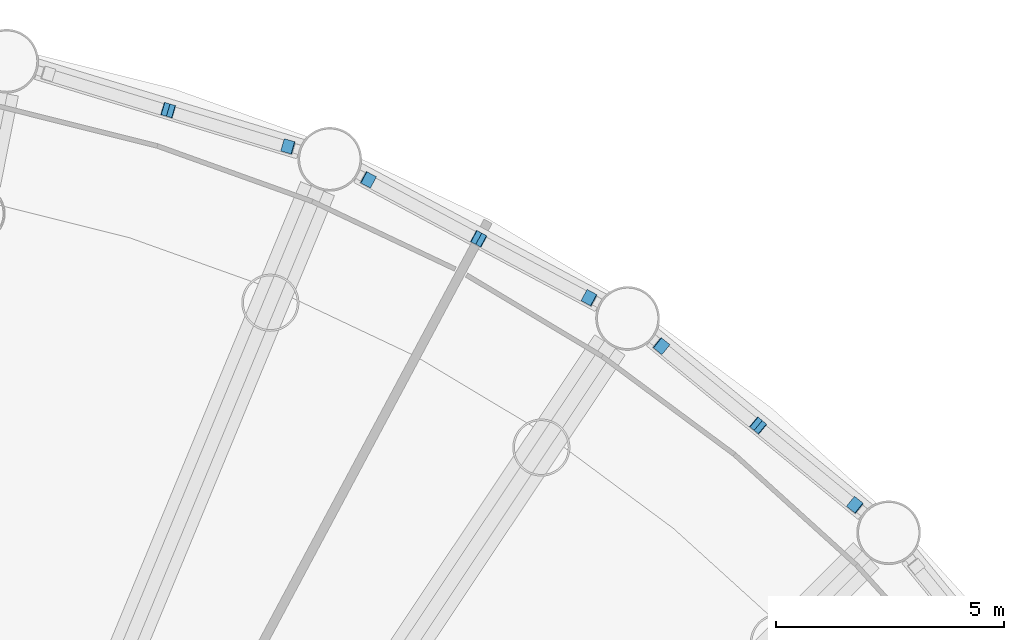
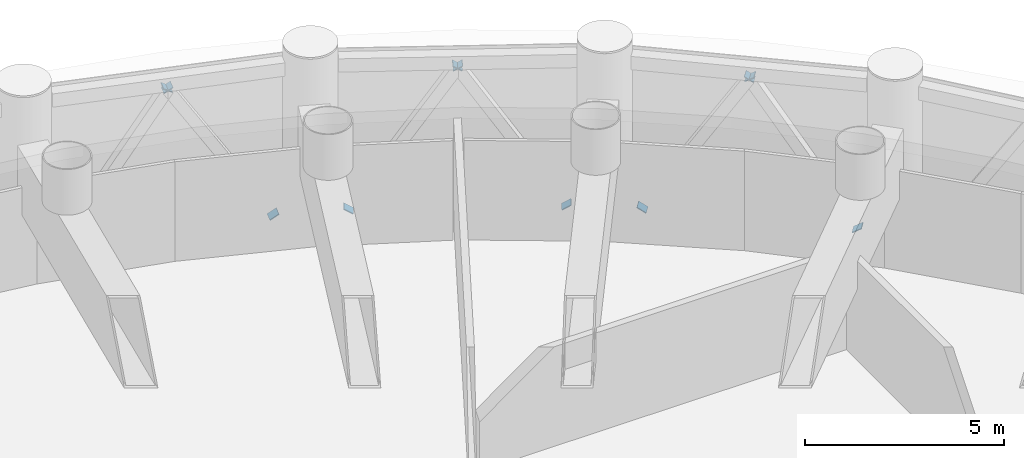
# One storey, part 18 of 26: 11 discrete accessories.
"""IFC4 building model written with IfcOpenShell, lengths in metres."""

import ifcopenshell
import ifcopenshell.guid

model = None  # the IFC model being written
_history = None  # IfcOwnerHistory: only IFC2X3 demands one
_inside = {}  # id of a spatial element -> (the spatial element, [elements in it])
_under = {}  # id of a project, library or spatial element -> (it, [spatial elements below it])
_declared = {}  # id of a project -> (the project, [libraries it declares])
_typed = {}  # id of a type object -> (the type object, [elements of that type])
_made_of = {}  # id of a material, layer set ... -> (it, [elements and type objects made of it])


def new_model(schema):
    """Start an empty IFC model of exactly this schema.

    Asked for "IFC4X3", IfcOpenShell would pick the latest addendum, in which some entities
    have other attributes; the version numbers below select the first issue.
    IFC2X3 requires an IfcOwnerHistory on every rooted entity: one is made here for all.
    """
    global model, _history
    if schema == "IFC4X3":
        model = ifcopenshell.file(schema_version=(4, 3, 0, 0))
    else:
        model = ifcopenshell.file(schema=schema)
    _inside.clear()
    _under.clear()
    _declared.clear()
    _typed.clear()
    _made_of.clear()
    _history = None
    if model.schema == "IFC2X3":
        org = make("IfcOrganization", Name="unknown")
        user = make(
            "IfcPersonAndOrganization",
            ThePerson=make("IfcPerson", FamilyName="unknown"),
            TheOrganization=org,
        )
        app = make(
            "IfcApplication",
            ApplicationDeveloper=org,
            Version="unknown",
            ApplicationFullName="unknown",
            ApplicationIdentifier="unknown",
        )
        _history = make(
            "IfcOwnerHistory",
            OwningUser=user,
            OwningApplication=app,
            ChangeAction="ADDED",
            CreationDate=0,
        )
    return model


def make(cls, **values):
    """One entity of the class cls with the attributes given. An attribute that is None is left unset."""
    return model.create_entity(
        cls, **{name: value for name, value in values.items() if value is not None}
    )


def rooted(cls, **values):
    """An entity with a GlobalId (a new one), such as an element, a storey or a relation."""
    return make(cls, GlobalId=ifcopenshell.guid.new(), OwnerHistory=_history, **values)


def si_unit(unit_type, name, prefix=None):
    """IfcSIUnit, for example si_unit("LENGTHUNIT", "METRE", prefix="MILLI")."""
    return make("IfcSIUnit", UnitType=unit_type, Prefix=prefix, Name=name)


def assignment(units):
    """IfcUnitAssignment: the units of a project."""
    return None if units is None else make("IfcUnitAssignment", Units=units)


def point(xyz):
    """IfcCartesianPoint."""
    return None if xyz is None else make("IfcCartesianPoint", Coordinates=xyz)


def direction(xyz):
    """IfcDirection."""
    return None if xyz is None else make("IfcDirection", DirectionRatios=xyz)


def frame(location, z_axis=None, x_axis=None):
    """IfcAxis2Placement3D, a coordinate frame: its origin and axes. An axis left out is left unset."""
    return make(
        "IfcAxis2Placement3D",
        Location=point(location),
        Axis=direction(z_axis),
        RefDirection=direction(x_axis),
    )


def frame_2d(location, x_axis=None):
    """IfcAxis2Placement2D, a coordinate frame in the plane: its origin and x axis."""
    return make(
        "IfcAxis2Placement2D", Location=point(location), RefDirection=direction(x_axis)
    )


def origin():
    """The frame at (0, 0, 0) with its axes left unset."""
    return frame((0.0, 0.0, 0.0))


def origin_2d():
    """The frame at (0, 0) in the plane with its x axis left unset."""
    return frame_2d((0.0, 0.0))


def place(relative_to, where):
    """IfcLocalPlacement: puts the frame where relative to a parent placement (None: the world)."""
    return make(
        "IfcLocalPlacement", PlacementRelTo=relative_to, RelativePlacement=where
    )


def context(
    kind, dimensions, precision=None, world=None, true_north=None, identifier=None
):
    """IfcGeometricRepresentationContext, for example the 3D "Model" context."""
    return make(
        "IfcGeometricRepresentationContext",
        ContextIdentifier=identifier,
        ContextType=kind,
        CoordinateSpaceDimension=dimensions,
        Precision=precision,
        WorldCoordinateSystem=world,
        TrueNorth=true_north,
    )


def subcontext(parent, identifier, kind, view, scale=None):
    """IfcGeometricRepresentationSubContext, for example "Body" below "Model"."""
    return make(
        "IfcGeometricRepresentationSubContext",
        ContextIdentifier=identifier,
        ContextType=kind,
        ParentContext=parent,
        TargetScale=scale,
        TargetView=view,
    )


def project(units=None, contexts=None):
    """IfcProject with its units and contexts."""
    return rooted(
        "IfcProject",
        Name="project",
        RepresentationContexts=contexts,
        UnitsInContext=assignment(units),
    )


def spatial(cls, under=None, at=None, **own):
    """A site, building, storey or space (cls), placed at a placement, below another one or the project."""
    s = rooted(cls, ObjectPlacement=at, **own)
    if under is not None:
        _under.setdefault(under.id(), (under, []))[1].append(s)
    return s


def profile(cls, at=None, kind="AREA", **sizes):
    """A parametric profile (cls). Its sizes go by their IFC names, for example OverallWidth=200.0."""
    return make(cls, ProfileType=kind, Position=at, **sizes)


def rectangle(**sizes):
    """IfcRectangleProfileDef."""
    return profile("IfcRectangleProfileDef", **sizes)


def extrude(swept, where, along, depth):
    """IfcExtrudedAreaSolid: the profile swept, set in the frame where, extruded along a direction by depth."""
    return make(
        "IfcExtrudedAreaSolid",
        SweptArea=swept,
        Position=where,
        ExtrudedDirection=direction(along),
        Depth=depth,
    )


def shape(context_of_items, identifier, shape_type, items):
    """IfcShapeRepresentation: the items that make up one representation, for example the "Body"."""
    return make(
        "IfcShapeRepresentation",
        ContextOfItems=context_of_items,
        RepresentationIdentifier=identifier,
        RepresentationType=shape_type,
        Items=items,
    )


def material(Name=None, Category=None):
    """IfcMaterial."""
    return make("IfcMaterial", Name=Name, Category=Category)


def material_profile(
    of_material, cross_section, Name=None, Category=None, Priority=None
):
    """IfcMaterialProfile: a cross section and its material."""
    return make(
        "IfcMaterialProfile",
        Name=Name,
        Material=of_material,
        Profile=cross_section,
        Priority=Priority,
        Category=Category,
    )


def profile_set(profiles, Name=None, composite=None):
    """IfcMaterialProfileSet."""
    return make(
        "IfcMaterialProfileSet",
        Name=Name,
        MaterialProfiles=profiles,
        CompositeProfile=composite,
    )


def made_of(thing, what):
    """Note that an element or type object is made of a material, layer set ...; save() writes the relation."""
    if what is not None:
        _made_of.setdefault(what.id(), (what, []))[1].append(thing)
    return thing


def type_object(cls, material=None, **own):
    """A type object (cls), such as IfcWallType, which elements share."""
    return made_of(rooted(cls, **own), material)


def element(
    cls,
    number,
    at=None,
    inside=None,
    cuts=None,
    type_object=None,
    material=None,
    context=None,
    identifier="Body",
    shape_type=None,
    held_by="IfcProductDefinitionShape",
    body=None,
    shapes=None,
    **own,
):
    """One element of the class cls, such as IfcWall. Its Tag is "e" and its number.

    at: its placement. inside: the storey or other place that contains it. cuts: it is an
    opening in that element (IfcRelVoidsElement). A single representation is given by context,
    identifier, shape_type and body (its items); several are given by shapes. held_by: the class
    of the entity that holds the representations. save() writes the other relations.
    """
    e = rooted(cls, Tag="e%d" % number, ObjectPlacement=at, **own)
    if body is not None:
        shapes = [shape(context, identifier, shape_type, body)]
    if shapes is not None:
        e.Representation = make(held_by, Representations=shapes)
    if inside is not None:
        _inside.setdefault(inside.id(), (inside, []))[1].append(e)
    if cuts is not None:
        rooted(
            "IfcRelVoidsElement", RelatingBuildingElement=cuts, RelatedOpeningElement=e
        )
    if type_object is not None:
        _typed.setdefault(type_object.id(), (type_object, []))[1].append(e)
    return made_of(e, material)


def aggregate(whole, parts):
    """IfcRelAggregates: a whole, such as a stair, and the parts it consists of."""
    return rooted("IfcRelAggregates", RelatingObject=whole, RelatedObjects=parts)


def save(model, path):
    """Write the relations noted so far, then the file.

    IfcRelAggregates (storeys below a building ...), IfcRelContainedInSpatialStructure (elements
    in a storey), IfcRelDefinesByType, IfcRelAssociatesMaterial and IfcRelDeclares: one each for
    every whole, place, type object, material and project.
    """
    for whole, parts in _under.values():
        aggregate(whole, parts)
    for where, things in _inside.values():
        rooted(
            "IfcRelContainedInSpatialStructure",
            RelatedElements=things,
            RelatingStructure=where,
        )
    for kind, things in _typed.values():
        rooted("IfcRelDefinesByType", RelatedObjects=things, RelatingType=kind)
    for what, things in _made_of.values():
        rooted("IfcRelAssociatesMaterial", RelatedObjects=things, RelatingMaterial=what)
    for by, libraries in _declared.values():
        rooted("IfcRelDeclares", RelatingContext=by, RelatedDefinitions=libraries)
    model.write(path)


model = new_model("IFC4")

# Units and contexts
model_context = context("Model", 3, precision=1e-05, world=origin(), true_north=direction((0.0, 1.0)))
body_context = subcontext(model_context, "Body", "Model", "MODEL_VIEW")
ifc_project = project(units=[si_unit("LENGTHUNIT", "METRE"), si_unit("AREAUNIT", "SQUARE_METRE"), si_unit("VOLUMEUNIT", "CUBIC_METRE"), si_unit("PLANEANGLEUNIT", "RADIAN"), si_unit("MASSUNIT", "GRAM", prefix="KILO")], contexts=[model_context])

# Site, building, storey
site_placement = place(None, origin())
site = spatial("IfcSite", under=ifc_project, at=site_placement, CompositionType="ELEMENT")
building_placement = place(site_placement, origin())
building = spatial("IfcBuilding", under=site, at=building_placement, Name="Corvane Civic Tower", CompositionType="ELEMENT")
storey_placement = place(building_placement, frame((0.0, 0.0, 85.0)))
storey = spatial("IfcBuildingStorey", under=building, at=storey_placement, Name="L19", CompositionType="ELEMENT", Elevation=85.0)

# Discrete accessories
ifc_material = material(Name="Steel ASTM A572 Gr 50", Category="steel")
ifc_material_profile = material_profile(ifc_material, rectangle(XDim=0.2802734375, YDim=0.2802734375, at=origin_2d()), Name="GUSSET PLATE 25 IN HSS12X12X1/2")
ifc_profile_set = profile_set([ifc_material_profile], Name="Steel ASTM A572 Gr 50")
discrete_accessory_type = type_object("IfcDiscreteAccessoryType", Name="GUSSET PLATE 25 IN HSS12X12X1/2", PredefinedType="BRACKET", material=ifc_profile_set)
discrete_accessory_1_placement = place(storey_placement, frame((10.89111328125, 35.90283203125, 4.74365234375), z_axis=(-0.50676869704, 0.155928829858, -0.847863012355), x_axis=(-0.294085848838, -0.955779008722, 0.0)))
element("IfcDiscreteAccessory", 1, at=discrete_accessory_1_placement, inside=storey, type_object=discrete_accessory_type, Name="Gusset plate BD1 end B", PredefinedType="BRACKET", context=body_context, shape_type="SweptSolid", body=[
    extrude(rectangle(XDim=0.2802734375, YDim=0.2802734375, at=origin_2d()), origin(), (0.0, 0.0, 1.0), 0.025146484375),
])
for number, where, z_axis, x_axis, name in (
    (2, (13.51806640625, 35.106201171875, 0.406494140625), (-0.511750544557, 0.147620349392, 0.846356669845), (-0.277160651302, -0.960823591181, 0.0), "Gusset plate BD1 end A"),
    (3, (10.89111328125, 35.90283203125, 4.74365234375), (0.507516375128, -0.146398954364, -0.84911393531), (0.277160651302, 0.960823591181, 0.0), "Gusset plate BD1 end B"),
    (4, (15.26513671875, 34.382568359375, 0.406494140625), (0.471222756944, -0.255245660011, 0.844274106191), (0.476283148541, 0.879291966537, 0.0), "Gusset plate BD1 end A"),
):
    element("IfcDiscreteAccessory", number, at=place(storey_placement, frame(where, z_axis=z_axis, x_axis=x_axis)), inside=storey, type_object=discrete_accessory_type, Name=name, PredefinedType="BRACKET", context=body_context, shape_type="SweptSolid", body=[
        extrude(rectangle(XDim=0.2802734375, YDim=0.2802734375, at=origin_2d()), origin(), (0.0, 0.0, 1.0), 0.02490234375),
    ])
discrete_accessory_2_placement = place(storey_placement, frame((17.686279296875, 33.08837890625, 4.74365234375), z_axis=(-0.474900743063, 0.25198814938, -0.843191115234), x_axis=(-0.468715806899, -0.883349020695, 0.0)))
element("IfcDiscreteAccessory", 5, at=discrete_accessory_2_placement, inside=storey, type_object=discrete_accessory_type, Name="Gusset plate BD1 end B", PredefinedType="BRACKET", context=body_context, shape_type="SweptSolid", body=[
    extrude(rectangle(XDim=0.2802734375, YDim=0.2802734375, at=origin_2d()), origin(), (0.0, 0.0, 1.0), 0.025146484375),
])
discrete_accessory_3_placement = place(storey_placement, frame((20.107177734375, 31.794189453125, 0.406494140625), z_axis=(-0.471222756944, 0.255245660011, 0.844274106191), x_axis=(-0.476283148541, -0.879291966537, 0.0)))
element("IfcDiscreteAccessory", 6, at=discrete_accessory_3_placement, inside=storey, type_object=discrete_accessory_type, Name="Gusset plate BD1 end A", PredefinedType="BRACKET", context=body_context, shape_type="SweptSolid", body=[
    extrude(rectangle(XDim=0.2802734375, YDim=0.2802734375, at=origin_2d()), origin(), (0.0, 0.0, 1.0), 0.02490234375),
])
discrete_accessory_4_placement = place(storey_placement, frame((17.686279296875, 33.08837890625, 4.74365234375), z_axis=(0.467342837645, -0.253144037058, -0.847058893232), x_axis=(0.476283148541, 0.879291966537, 0.0)))
element("IfcDiscreteAccessory", 7, at=discrete_accessory_4_placement, inside=storey, type_object=discrete_accessory_type, Name="Gusset plate BD1 end B", PredefinedType="BRACKET", context=body_context, shape_type="SweptSolid", body=[
    extrude(rectangle(XDim=0.2802734375, YDim=0.2802734375, at=origin_2d()), origin(), (0.0, 0.0, 1.0), 0.025146484375),
])
discrete_accessory_5_placement = place(storey_placement, frame((21.679443359375, 30.74365234375, 0.406494140625), z_axis=(0.413517243021, -0.334752053874, 0.846725783328), x_axis=(0.629198228668, 0.777244870707, 0.0)))
element("IfcDiscreteAccessory", 8, at=discrete_accessory_5_placement, inside=storey, type_object=discrete_accessory_type, Name="Gusset plate BD1 end A", PredefinedType="BRACKET", context=body_context, shape_type="SweptSolid", body=[
    extrude(rectangle(XDim=0.2802734375, YDim=0.2802734375, at=origin_2d()), origin(), (0.0, 0.0, 1.0), 0.02490234375),
])
discrete_accessory_6_placement = place(storey_placement, frame((23.801513671875, 29.002197265625, 4.74365234375), z_axis=(-0.408750654966, 0.340625545805, -0.846697785287), x_axis=(-0.640184399664, -0.768221279597, 0.0)))
element("IfcDiscreteAccessory", 9, at=discrete_accessory_6_placement, inside=storey, type_object=discrete_accessory_type, Name="Gusset plate BD1 end B", PredefinedType="BRACKET", context=body_context, shape_type="SweptSolid", body=[
    extrude(rectangle(XDim=0.2802734375, YDim=0.2802734375, at=origin_2d()), origin(), (0.0, 0.0, 1.0), 0.025146484375),
])
discrete_accessory_7_placement = place(storey_placement, frame((25.923583984375, 27.2607421875, 0.406494140625), z_axis=(-0.413517243021, 0.334752053874, 0.846725783328), x_axis=(-0.629198228668, -0.777244870707, 0.0)))
element("IfcDiscreteAccessory", 10, at=discrete_accessory_7_placement, inside=storey, type_object=discrete_accessory_type, Name="Gusset plate BD1 end A", PredefinedType="BRACKET", context=body_context, shape_type="SweptSolid", body=[
    extrude(rectangle(XDim=0.2802734375, YDim=0.2802734375, at=origin_2d()), origin(), (0.0, 0.0, 1.0), 0.02490234375),
])
discrete_accessory_8_placement = place(storey_placement, frame((23.801513671875, 29.002197265625, 4.74365234375), z_axis=(0.408750654966, -0.340625545805, -0.846697785287), x_axis=(0.640184399664, 0.768221279597, 0.0)))
element("IfcDiscreteAccessory", 11, at=discrete_accessory_8_placement, inside=storey, type_object=discrete_accessory_type, Name="Gusset plate BD1 end B", PredefinedType="BRACKET", context=body_context, shape_type="SweptSolid", body=[
    extrude(rectangle(XDim=0.2802734375, YDim=0.2802734375, at=origin_2d()), origin(), (0.0, 0.0, 1.0), 0.025146484375),
])

save(model, "model.ifc")
